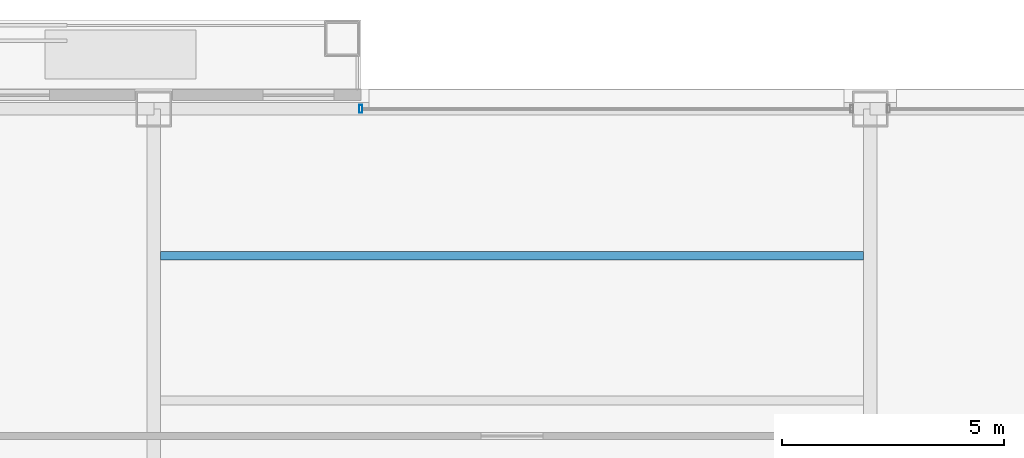
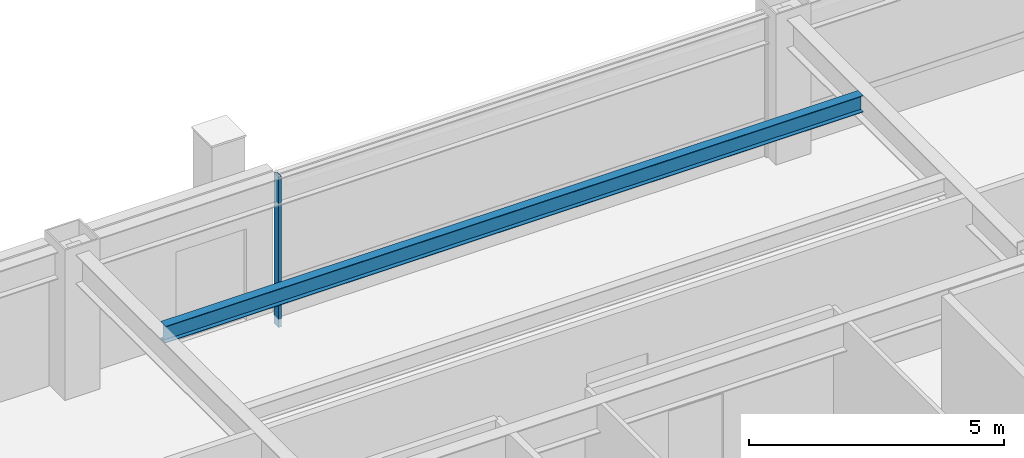
# One storey, part 19 of 29: 1 beam, 1 member, 1 element without a shape of its own.
"""IFC4 building model written with IfcOpenShell, lengths in metres."""

from ifc_helpers import new_model, si_unit, direction, frame, origin, origin_2d, place, context, subcontext, project, spatial, hollow_rectangle, i_section, extrude, material, layer, layer_set, material_profile, profile_set, type_object, element, aggregate, save


model = new_model("IFC4")

# Units and contexts
model_context = context("Model", 3, precision=1e-05, world=origin(), true_north=direction((0.0, 1.0)))
body_context = subcontext(model_context, "Body", "Model", "MODEL_VIEW")
ifc_project = project(units=[si_unit("LENGTHUNIT", "METRE"), si_unit("AREAUNIT", "SQUARE_METRE"), si_unit("VOLUMEUNIT", "CUBIC_METRE"), si_unit("PLANEANGLEUNIT", "RADIAN"), si_unit("MASSUNIT", "GRAM", prefix="KILO")], contexts=[model_context])

# Site, building, storey
site_placement = place(None, origin())
site = spatial("IfcSite", under=ifc_project, at=site_placement, CompositionType="ELEMENT")
building_placement = place(site_placement, origin())
building = spatial("IfcBuilding", under=site, at=building_placement, Name="Brelmoor Portico Tower", CompositionType="ELEMENT")
storey_placement = place(building_placement, frame((0.0, 0.0, 127.800048828125)))
storey = spatial("IfcBuildingStorey", under=building, at=storey_placement, Name="L33", CompositionType="ELEMENT", Elevation=127.800048828125)

# Beam
ifc_material_1 = material(Name="Steel Q355B", Category="steel")
ifc_material_profile_1 = material_profile(ifc_material_1, i_section(OverallWidth=0.199951171875, OverallDepth=0.39990234375, WebThickness=0.008056640625, FlangeThickness=0.012939453125, at=origin_2d()), Name="HN 400x200x8x13")
ifc_profile_set_1 = profile_set([ifc_material_profile_1], Name="Steel Q355B")
beam_type = type_object("IfcBeamType", Name="BM-JS-400", PredefinedType="JOIST", material=ifc_profile_set_1)
beam_placement = place(storey_placement, frame((-7.89990234375, 16.25, 3.199951171875), z_axis=(1.0, 0.0, 0.0), x_axis=(0.0, 1.0, 0.0)))
element("IfcBeam", 1, at=beam_placement, inside=storey, type_object=beam_type, Name="L33 Secondary Composite Joist JS-C04", PredefinedType="JOIST", context=body_context, shape_type="SweptSolid", body=[
    extrude(i_section(OverallWidth=0.199951171875, OverallDepth=0.39990234375, WebThickness=0.008056640625, FlangeThickness=0.012939453125, at=origin_2d()), origin(), (0.0, 0.0, 1.0), 15.7998046875),
])

# Curtain wall, member
ifc_material_2 = material(Name="Anodised Aluminium Alloy 6063-T6", Category="aluminium")
ifc_layer = layer(ifc_material_2, 0.179931640625)
ifc_layer_set = layer_set([ifc_layer], Name="Anodised Aluminium Alloy 6063-T6")
curtain_wall_type = type_object("IfcCurtainWallType", Name="CW-TOWER-Z2", PredefinedType="NOTDEFINED", material=ifc_layer_set)
curtain_wall_placement = place(storey_placement, origin())
curtain_wall = element("IfcCurtainWall", 2, at=curtain_wall_placement, inside=storey, type_object=curtain_wall_type, Name="L33 Curtain Wall CW-L33-2R-1", PredefinedType="NOTDEFINED")
ifc_material_profile_2 = material_profile(ifc_material_2, hollow_rectangle(XDim=0.06494140625, YDim=0.179931640625, WallThickness=0.00390625, at=origin_2d()), Name="ALU MULLION 65x180")
ifc_profile_set_2 = profile_set([ifc_material_profile_2], Name="Anodised Aluminium Alloy 6063-T6")
member_type = type_object("IfcMemberType", Name="MB-CW-MULL-180", PredefinedType="MULLION", material=ifc_profile_set_2)
member_placement = place(storey_placement, frame((-3.39990234375, 19.550048828125, -0.199951171875), z_axis=(0.0, 0.0, 1.0), x_axis=(1.0, 0.0, 0.0)))
member = element("IfcMember", 3, at=member_placement, type_object=member_type, Name="CW-L33-2R-1 Mullion 00", PredefinedType="MULLION", context=body_context, shape_type="SweptSolid", body=[
    extrude(hollow_rectangle(XDim=0.06494140625, YDim=0.179931640625, WallThickness=0.00390625, at=origin_2d()), origin(), (0.0, 0.0, 1.0), 3.599853515625),
])
aggregate(curtain_wall, [member])

save(model, "model.ifc")
